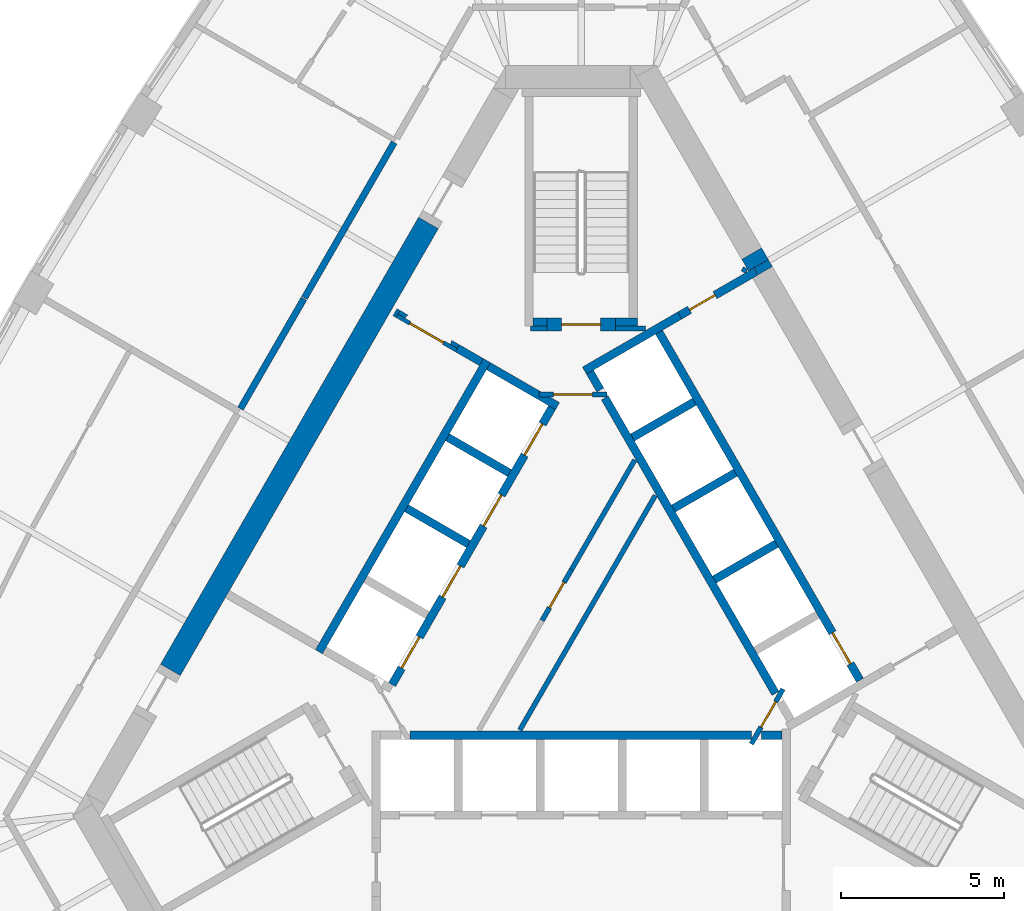
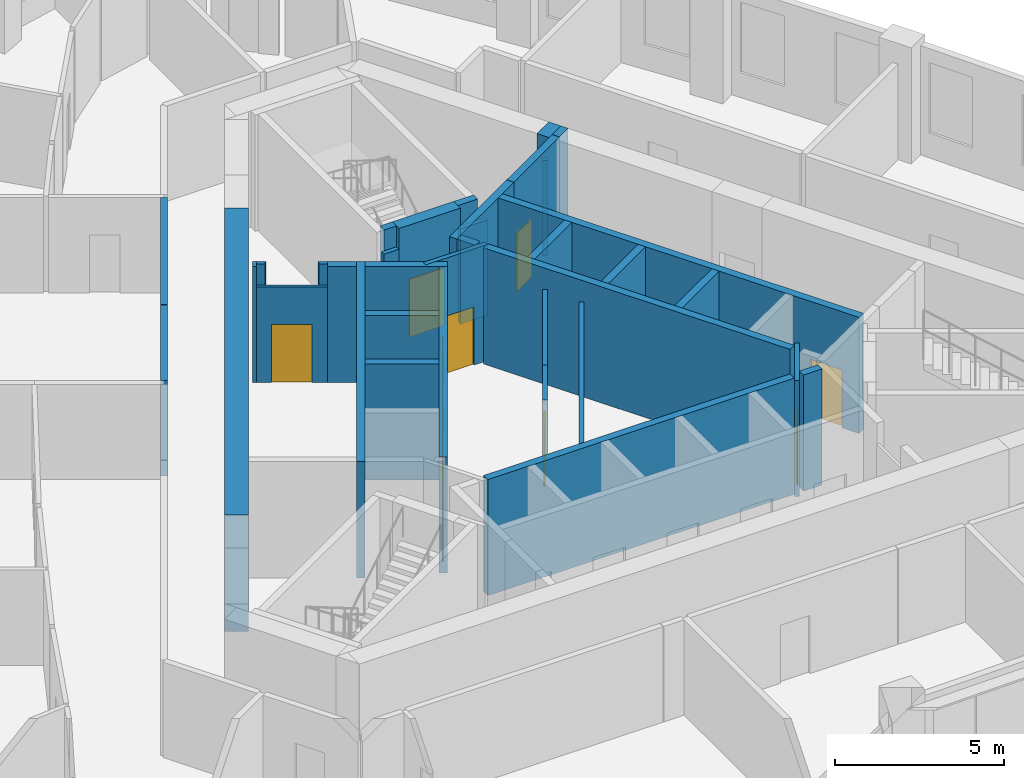
# One storey, part 5 of 10: 36 walls, 11 doors, 11 openings.
"""IFC4 building model written with IfcOpenShell, lengths in metres."""

from ifc_helpers import new_model, si_unit, direction, frame, frame_2d, origin, place, context, subcontext, project, spatial, polyline, rectangle, outline, extrude, material, layer, layer_set, type_object, element, fill, save


model = new_model("IFC4")

# Units and contexts
model_context = context("Model", 3, precision=1e-05, world=origin(), true_north=direction((0.0, 1.0)))
body_context = subcontext(model_context, "Body", "Model", "MODEL_VIEW")
ifc_project = project(units=[si_unit("LENGTHUNIT", "METRE"), si_unit("AREAUNIT", "SQUARE_METRE"), si_unit("VOLUMEUNIT", "CUBIC_METRE"), si_unit("PLANEANGLEUNIT", "RADIAN"), si_unit("MASSUNIT", "GRAM", prefix="KILO")], contexts=[model_context])

# Site, building, storey
site_placement = place(None, origin())
site = spatial("IfcSite", under=ifc_project, at=site_placement, CompositionType="ELEMENT")
building_placement = place(site_placement, origin())
building = spatial("IfcBuilding", under=site, at=building_placement, Name="Mestral Congress Tower", CompositionType="ELEMENT")
storey_placement = place(building_placement, frame((0.0, 0.0, 218.39990234375)))
storey = spatial("IfcBuildingStorey", under=building, at=storey_placement, Name="L51", CompositionType="ELEMENT", Elevation=218.39990234375)

# Walls
ifc_material_1 = material(Name="Fire-rated board partition")
ifc_layer_1 = layer(ifc_material_1, 0.14990234375)
ifc_layer_set_1 = layer_set([ifc_layer_1], Name="Fire-rated board partition")
wall_type_1 = type_object("IfcWallType", Name="Core partition 150", PredefinedType="PARTITIONING", material=ifc_layer_set_1)
wall_1_placement = place(storey_placement, frame((1.050048828125, 8.62548828125, 0.0), z_axis=(0.0, 0.0, 1.0), x_axis=(1.0, 0.0, 0.0)))
element("IfcWall", 1, at=wall_1_placement, inside=storey, type_object=wall_type_1, Name="L51 core wall", PredefinedType="PARTITIONING", context=body_context, shape_type="SweptSolid", body=[
    extrude(rectangle(XDim=0.9287109375, YDim=0.14990234375, at=frame_2d((0.46435546875, 0.0))), origin(), (0.0, 0.0, 1.0), 3.4501953125),
])
wall_2_placement = place(storey_placement, frame((-1.56396484375, 8.62548828125, 0.0), z_axis=(0.0, 0.0, 1.0), x_axis=(1.0, 0.0, 0.0)))
element("IfcWall", 2, at=wall_2_placement, inside=storey, type_object=wall_type_1, Name="L51 core wall", PredefinedType="PARTITIONING", context=body_context, shape_type="SweptSolid", body=[
    extrude(rectangle(XDim=0.513916015625, YDim=0.14990234375, at=frame_2d((0.2568359375, 0.0))), origin(), (0.0, 0.0, 1.0), 3.4501953125),
])
wall_3_placement = place(storey_placement, frame((4.97998046875, 10.35791015625, 0.0), z_axis=(0.0, 0.0, 1.0), x_axis=(0.500640202437, 0.86565546709, 0.0)))
element("IfcWall", 3, at=wall_3_placement, inside=storey, type_object=wall_type_1, Name="L51 core wall", PredefinedType="PARTITIONING", context=body_context, shape_type="SweptSolid", body=[
    extrude(rectangle(XDim=0.145751953125, YDim=0.14990234375, at=frame_2d((0.07275390625, 0.0))), origin(), (0.0, 0.0, 1.0), 3.4501953125),
])
wall_4_placement = place(storey_placement, frame((-1.886962890625, -3.71826171875, 0.0), z_axis=(0.0, 0.0, 1.0), x_axis=(0.500005008002, 0.866022512394, 0.0)))
element("IfcWall", 4, at=wall_4_placement, inside=storey, type_object=wall_type_1, Name="L51 core wall", PredefinedType="PARTITIONING", context=body_context, shape_type="SweptSolid", body=[
    extrude(rectangle(XDim=8.3271484375, YDim=0.14990234375, at=frame_2d((4.16357421875, 0.0))), origin(), (0.0, 0.0, 1.0), 3.4501953125),
])
wall_5_placement = place(storey_placement, frame((-0.2998046875, 1.21240234375, 0.0), z_axis=(0.0, 0.0, 1.0), x_axis=(0.499963101113, 0.866046706318, 0.0)))
element("IfcWall", 5, at=wall_5_placement, inside=storey, type_object=wall_type_1, Name="L51 core wall", PredefinedType="PARTITIONING", context=body_context, shape_type="SweptSolid", body=[
    extrude(rectangle(XDim=3.893310546875, YDim=0.14990234375, at=frame_2d((1.94677734375, 0.0))), origin(), (0.0, 0.0, 1.0), 3.4501953125),
])

# Wall, opening, door
wall_6_placement = place(storey_placement, frame((-1.199951171875, -0.346435546875, 0.0), z_axis=(0.0, 0.0, 1.0), x_axis=(0.499961193289, 0.866047807691, 0.0)))
wall_6 = element("IfcWall", 6, at=wall_6_placement, inside=storey, type_object=wall_type_1, Name="L51 door wall", PredefinedType="PARTITIONING", context=body_context, shape_type="SweptSolid", body=[
    extrude(rectangle(XDim=1.800048828125, YDim=0.14990234375, at=frame_2d((0.89990234375, 0.0))), origin(), (0.0, 0.0, 1.0), 3.4501953125),
])
opening_1_placement = place(wall_6_placement, frame((0.449951171875, 0.0, 0.0)))
opening_1 = element("IfcOpeningElement", 7, at=opening_1_placement, cuts=wall_6, Name="Opening SD-HUB1", PredefinedType="OPENING", context=body_context, shape_type="SweptSolid", body=[
    extrude(rectangle(XDim=0.89990234375, YDim=2.10009765625, at=frame_2d((0.449951171875, 1.050048828125))), frame((0.0, 0.0849609375, 0.0), z_axis=(0.0, -1.0, 0.0), x_axis=(1.0, 0.0, 0.0)), (0.0, 0.0, 1.0), 0.169921875),
])
ifc_material_2 = material(Name="Fire-rated steel door set", Category="steel")
door_type_1 = type_object("IfcDoorType", Name="Core door SR 900x2100", OperationType="SINGLE_SWING_LEFT", PredefinedType="DOOR", material=ifc_material_2)
door_1_placement = place(opening_1_placement, origin())
door_1 = element("IfcDoor", 8, at=door_1_placement, inside=storey, type_object=door_type_1, Name="Door SD-HUB1", OperationType="SINGLE_SWING_LEFT", OverallHeight=2.10009765625, OverallWidth=0.89990234375, PredefinedType="DOOR", context=body_context, shape_type="SweptSolid", body=[
    extrude(rectangle(XDim=0.89990234375, YDim=2.10009765625, at=frame_2d((0.449951171875, 1.050048828125))), frame((0.0, 0.02490234375, 0.0), z_axis=(0.0, -1.0, 0.0), x_axis=(1.0, 0.0, 0.0)), (0.0, 0.0, 1.0), 0.050048828125),
])
fill(opening_1, door_1)

ifc_layer_2 = layer(ifc_material_1, 0.1201171875)
ifc_layer_set_2 = layer_set([ifc_layer_2], Name="Fire-rated board partition")
wall_type_2 = type_object("IfcWallType", Name="Core partition 150 door-wall 120", PredefinedType="PARTITIONING", material=ifc_layer_set_2)
wall_7_placement = place(storey_placement, frame((-5.65869140625, 9.01171875, 0.0), z_axis=(0.0, 0.0, 1.0), x_axis=(0.866009402589, -0.500027713859, 0.0)))
wall_7 = element("IfcWall", 9, at=wall_7_placement, inside=storey, type_object=wall_type_2, Name="L51 door wall", PredefinedType="PARTITIONING", context=body_context, shape_type="SweptSolid", body=[
    extrude(rectangle(XDim=2.10009765625, YDim=0.1201171875, at=frame_2d((1.050048828125, 0.0))), origin(), (0.0, 0.0, 1.0), 3.4501953125),
])
opening_2_placement = place(wall_7_placement, frame((0.449951171875, 0.0, 0.0)))
opening_2 = element("IfcOpeningElement", 10, at=opening_2_placement, cuts=wall_7, Name="Opening LB2-WL2", PredefinedType="OPENING", context=body_context, shape_type="SweptSolid", body=[
    extrude(rectangle(XDim=1.199951171875, YDim=2.10009765625, at=frame_2d((0.60009765625, 1.050048828125))), frame((0.0, 0.070068359375, 0.0), z_axis=(0.0, -1.0, 0.0), x_axis=(1.0, 0.0, 0.0)), (0.0, 0.0, 1.0), 0.14013671875),
])
door_type_2 = type_object("IfcDoorType", Name="Core door LB 1200x2100", OperationType="SINGLE_SWING_LEFT", PredefinedType="DOOR", material=ifc_material_2)
door_2_placement = place(opening_2_placement, origin())
door_2 = element("IfcDoor", 11, at=door_2_placement, inside=storey, type_object=door_type_2, Name="Door LB2-WL2", OperationType="SINGLE_SWING_LEFT", OverallHeight=2.10009765625, OverallWidth=1.199951171875, PredefinedType="DOOR", context=body_context, shape_type="SweptSolid", body=[
    extrude(rectangle(XDim=1.199951171875, YDim=2.10009765625, at=frame_2d((0.60009765625, 1.050048828125))), frame((0.0, 0.02490234375, 0.0), z_axis=(0.0, -1.0, 0.0), x_axis=(1.0, 0.0, 0.0)), (0.0, 0.0, 1.0), 0.050048828125),
])
fill(opening_2, door_2)

# Walls
ifc_material_3 = material(Name="Concrete C60/75", Category="concrete")
ifc_layer_3 = layer(ifc_material_3, 0.699951171875)
ifc_layer_set_3 = layer_set([ifc_layer_3], Name="Concrete C60/75")
wall_type_3 = type_object("IfcWallType", Name="Core wall RC 700", PredefinedType="SOLIDWALL", material=ifc_layer_set_3)
wall_8_placement = place(storey_placement, frame((5.4453125, 10.568603515625, 0.0), z_axis=(0.0, 0.0, 1.0), x_axis=(-0.500218351069, 0.865899302029, 0.0)))
element("IfcWall", 12, at=wall_8_placement, inside=storey, type_object=wall_type_3, Name="L51 core wall", PredefinedType="SOLIDWALL", context=body_context, shape_type="SweptSolid", body=[
    extrude(rectangle(XDim=0.411865234375, YDim=0.699951171875, at=frame_2d((0.2060546875, 0.0))), origin(), (0.0, 0.0, 1.0), 4.2001953125),
])
placement = place(storey_placement, origin())
element("IfcWall", 13, at=placement, inside=storey, type_object=wall_type_3, Name="L51 core wall", PredefinedType="SOLIDWALL", context=body_context, shape_type="SweptSolid", body=[
    extrude(outline(polyline([(5.431640625, 10.272216796875), (5.3076171875, 10.48681640625), (5.749267578125, 10.741943359375), (5.873291015625, 10.527099609375), (5.431640625, 10.272216796875)])), origin(), (0.0, 0.0, 1.0), 4.2001953125),
])
wall_10_placement = place(storey_placement, frame((-12.625, -1.866943359375, 0.0), z_axis=(0.0, 0.0, 1.0), x_axis=(0.500008520515, 0.866020484407, 0.0)))
element("IfcWall", 14, at=wall_10_placement, inside=storey, type_object=wall_type_3, Name="L51 core wall", PredefinedType="SOLIDWALL", context=body_context, shape_type="SweptSolid", body=[
    extrude(rectangle(XDim=15.858642578125, YDim=0.699951171875, at=frame_2d((7.92919921875, 0.0))), origin(), (0.0, 0.0, 1.0), 4.2001953125),
])
ifc_material_4 = material(Name="Dense masonry wall, plastered", Category="masonry")
ifc_layer_4 = layer(ifc_material_4, 0.199951171875)
ifc_layer_set_4 = layer_set([ifc_layer_4], Name="Dense masonry wall, plastered")
wall_type_4 = type_object("IfcWallType", Name="Office tenancy wall 200", PredefinedType="PARTITIONING", material=ifc_layer_set_4)
wall_11_placement = place(storey_placement, frame((-8.522216796875, 9.5390625, 0.0), z_axis=(0.0, 0.0, 1.0), x_axis=(-0.499997012787, -0.866027128446, 0.0)))
element("IfcWall", 15, at=wall_11_placement, inside=storey, type_object=wall_type_4, Name="Tenancy wall", PredefinedType="PARTITIONING", context=body_context, shape_type="SweptSolid", body=[
    extrude(rectangle(XDim=3.89990234375, YDim=0.199951171875, at=frame_2d((1.949951171875, 0.0))), origin(), (0.0, 0.0, 1.0), 3.4501953125),
])
wall_12_placement = place(storey_placement, frame((-5.749755859375, 14.341064453125, 0.0), z_axis=(0.0, 0.0, 1.0), x_axis=(-0.499995817524, -0.866027818524, 0.0)))
element("IfcWall", 16, at=wall_12_placement, inside=storey, type_object=wall_type_4, Name="Tenancy wall", PredefinedType="PARTITIONING", context=body_context, shape_type="SweptSolid", body=[
    extrude(rectangle(XDim=5.5146484375, YDim=0.199951171875, at=frame_2d((2.75732421875, 0.0))), origin(), (0.0, 0.0, 1.0), 3.4501953125),
])
ifc_layer_5 = layer(ifc_material_3, 0.25)
ifc_layer_set_5 = layer_set([ifc_layer_5], Name="Concrete C60/75")
wall_type_5 = type_object("IfcWallType", Name="Shaft wall RC 250", PredefinedType="SOLIDWALL", material=ifc_layer_set_5)
wall_13_placement = place(storey_placement, frame((-5.25927734375, -3.875, 0.0), z_axis=(0.0, 0.0, 1.0), x_axis=(1.0, 0.0, 0.0)))
element("IfcWall", 17, at=wall_13_placement, inside=storey, type_object=wall_type_5, Name="L51 core wall", PredefinedType="SOLIDWALL", context=body_context, shape_type="SweptSolid", body=[
    extrude(rectangle(XDim=10.488525390625, YDim=0.25, at=frame_2d((5.244140625, 0.0))), origin(), (0.0, 0.0, 1.0), 4.2001953125),
])
wall_14_placement = place(storey_placement, frame((5.538330078125, -3.875, 0.0), z_axis=(0.0, 0.0, 1.0), x_axis=(1.0, 0.0, 0.0)))
element("IfcWall", 18, at=wall_14_placement, inside=storey, type_object=wall_type_5, Name="L51 core wall", PredefinedType="SOLIDWALL", context=body_context, shape_type="SweptSolid", body=[
    extrude(rectangle(XDim=0.63671875, YDim=0.25, at=frame_2d((0.318359375, 0.0))), origin(), (0.0, 0.0, 1.0), 4.2001953125),
])
wall_15_placement = place(storey_placement, frame((3.02783203125, 9.022705078125, 0.0), z_axis=(0.0, 0.0, 1.0), x_axis=(-0.866036587186, -0.49998062928, 0.0)))
element("IfcWall", 19, at=wall_15_placement, inside=storey, type_object=wall_type_5, Name="L51 core wall", PredefinedType="SOLIDWALL", context=body_context, shape_type="SweptSolid", body=[
    extrude(rectangle(XDim=3.383544921875, YDim=0.25, at=frame_2d((1.69189453125, 0.0))), origin(), (0.0, 0.0, 1.0), 4.2001953125),
])
wall_16_placement = place(storey_placement, frame((0.268310546875, 7.28515625, 0.0), z_axis=(0.0, 0.0, 1.0), x_axis=(0.500098681536, -0.865968422476, 0.0)))
element("IfcWall", 20, at=wall_16_placement, inside=storey, type_object=wall_type_5, Name="L51 core wall", PredefinedType="SOLIDWALL", context=body_context, shape_type="SweptSolid", body=[
    extrude(rectangle(XDim=0.636474609375, YDim=0.25, at=frame_2d((0.318359375, 0.0))), origin(), (0.0, 0.0, 1.0), 4.2001953125),
])
wall_17_placement = place(storey_placement, frame((5.970458984375, -2.591064453125, 0.0), z_axis=(0.0, 0.0, 1.0), x_axis=(-0.499994469932, 0.866028596547, 0.0)))
element("IfcWall", 21, at=wall_17_placement, inside=storey, type_object=wall_type_5, Name="L51 core wall", PredefinedType="SOLIDWALL", context=body_context, shape_type="SweptSolid", body=[
    extrude(rectangle(XDim=10.48828125, YDim=0.25, at=frame_2d((5.244140625, 0.0))), origin(), (0.0, 0.0, 1.0), 4.2001953125),
])
wall_18_placement = place(storey_placement, frame((1.57421875, 5.273681640625, 0.0), z_axis=(0.0, 0.0, 1.0), x_axis=(0.866028486751, 0.499994660107, 0.0)))
element("IfcWall", 22, at=wall_18_placement, inside=storey, type_object=wall_type_5, Name="L51 core wall", PredefinedType="SOLIDWALL", context=body_context, shape_type="SweptSolid", body=[
    extrude(rectangle(XDim=2.19970703125, YDim=0.25, at=frame_2d((1.099853515625, 0.0))), origin(), (0.0, 0.0, 1.0), 4.2001953125),
])
for number, where, z_axis, x_axis, name in (
    (23, (2.833984375, 3.091064453125, 0.0), (0.0, 0.0, 1.0), (0.866008176907, 0.50002983664, 0.0), "L51 core wall"),
    (24, (4.093994140625, 0.90869140625, 0.0), (0.0, 0.0, 1.0), (0.866008176907, 0.50002983664, 0.0), "L51 core wall"),
):
    element("IfcWall", number, at=place(storey_placement, frame(where, z_axis=z_axis, x_axis=x_axis)), inside=storey, type_object=wall_type_5, Name=name, PredefinedType="SOLIDWALL", context=body_context, shape_type="SweptSolid", body=[
        extrude(rectangle(XDim=2.199951171875, YDim=0.25, at=frame_2d((1.10009765625, 0.0))), origin(), (0.0, 0.0, 1.0), 4.2001953125),
    ])
wall_19_placement = place(storey_placement, frame((-8.06005859375, -1.310546875, 0.0), z_axis=(0.0, 0.0, 1.0), x_axis=(0.50000273126, 0.866023826885, 0.0)))
element("IfcWall", 25, at=wall_19_placement, inside=storey, type_object=wall_type_5, Name="L51 core wall", PredefinedType="SOLIDWALL", context=body_context, shape_type="SweptSolid", body=[
    extrude(rectangle(XDim=10.330078125, YDim=0.25, at=frame_2d((5.1650390625, 0.0))), origin(), (0.0, 0.0, 1.0), 4.2001953125),
])
element("IfcWall", 26, at=placement, inside=storey, type_object=wall_type_5, Name="L51 core wall", PredefinedType="SOLIDWALL", context=body_context, shape_type="SweptSolid", body=[
    extrude(outline(polyline([(-2.911865234375, 7.3564453125), (-2.786865234375, 7.572998046875), (-1.231689453125, 6.675048828125), (-1.303466796875, 6.675048828125), (-1.3037109375, 6.675048828125), (-1.3037109375, 6.675048828125), (-1.3037109375, 6.52490234375), (-1.3037109375, 6.52490234375), (-1.303466796875, 6.52490234375), (-0.971435546875, 6.52490234375), (-0.6650390625, 6.347900390625), (-0.7900390625, 6.131591796875), (-1.006591796875, 6.256591796875), (-1.006591796875, 6.256591796875), (-2.911865234375, 7.3564453125)])), origin(), (0.0, 0.0, 1.0), 4.2001953125),
])
for number, where, z_axis, x_axis, name in (
    (27, (-2.2041015625, 4.182373046875, 0.0), (0.0, 0.0, 1.0), (-0.866008176907, 0.50002983664, 0.0), "L51 core wall"),
    (28, (-5.369384765625, 3.10009765625, 0.0), (0.0, 0.0, 1.0), (0.866008176907, -0.50002983664, 0.0), "L51 core wall"),
):
    element("IfcWall", number, at=place(storey_placement, frame(where, z_axis=z_axis, x_axis=x_axis)), inside=storey, type_object=wall_type_5, Name=name, PredefinedType="SOLIDWALL", context=body_context, shape_type="SweptSolid", body=[
        extrude(rectangle(XDim=2.199951171875, YDim=0.25, at=frame_2d((1.10009765625, 0.0))), origin(), (0.0, 0.0, 1.0), 4.2001953125),
    ])
wall_21_placement = place(storey_placement, frame((-5.724609375, 9.124755859375, 0.0), z_axis=(0.0, 0.0, 1.0), x_axis=(0.866185586049, -0.49972245349, 0.0)))
element("IfcWall", 29, at=wall_21_placement, inside=storey, type_object=wall_type_5, Name="L51 core wall", PredefinedType="SOLIDWALL", context=body_context, shape_type="SweptSolid", body=[
    extrude(rectangle(XDim=0.10986328125, YDim=0.25, at=frame_2d((0.054931640625, 0.0))), origin(), (0.0, 0.0, 1.0), 4.2001953125),
])
wall_22_placement = place(storey_placement, frame((-3.06591796875, 7.58984375, 0.0), z_axis=(0.0, 0.0, 1.0), x_axis=(-0.866081358704, 0.49990307071, 0.0)))
element("IfcWall", 30, at=wall_22_placement, inside=storey, type_object=wall_type_5, Name="L51 core wall", PredefinedType="SOLIDWALL", context=body_context, shape_type="SweptSolid", body=[
    extrude(rectangle(XDim=0.858154296875, YDim=0.25, at=frame_2d((0.42919921875, 0.0))), origin(), (0.0, 0.0, 1.0), 4.2001953125),
])
element("IfcWall", 31, at=placement, inside=storey, type_object=wall_type_5, Name="L51 core wall", PredefinedType="SOLIDWALL", context=body_context, shape_type="SweptSolid", body=[
    extrude(outline(polyline([(-3.748291015625, 8.1279296875), (-3.813232421875, 8.015380859375), (-4.026611328125, 8.138671875), (-4.0166015625, 8.156005859375), (-4.007568359375, 8.17333984375), (-4.000244140625, 8.191650390625), (-3.994873046875, 8.21044921875), (-3.991455078125, 8.229736328125), (-3.98974609375, 8.24951171875), (-3.989990234375, 8.267578125), (-3.748291015625, 8.1279296875)])), origin(), (0.0, 0.0, 1.0), 4.2001953125),
])
element("IfcWall", 32, at=placement, inside=storey, type_object=wall_type_5, Name="L51 core wall", PredefinedType="SOLIDWALL", context=body_context, shape_type="SweptSolid", body=[
    extrude(outline(polyline([(-5.688720703125, 8.959716796875), (-5.690185546875, 8.960693359375), (-5.565185546875, 9.177001953125), (-5.318603515625, 9.03466796875), (-5.334716796875, 9.02587890625), (-5.3505859375, 9.0146484375), (-5.36572265625, 9.001953125), (-5.37939453125, 8.98779296875), (-5.3916015625, 8.972412109375), (-5.402099609375, 8.955810546875), (-5.412109375, 8.938720703125), (-5.628662109375, 9.063720703125), (-5.628662109375, 9.063720703125), (-5.688720703125, 8.959716796875)])), origin(), (0.0, 0.0, 1.0), 4.2001953125),
])

# Wall, opening, door
wall_25_placement = place(storey_placement, frame((8.565185546875, -2.185302734375, 0.0), z_axis=(0.0, 0.0, 1.0), x_axis=(-0.499997954832, 0.866026584559, 0.0)))
wall_25 = element("IfcWall", 33, at=wall_25_placement, inside=storey, type_object=wall_type_5, Name="L51 door wall", PredefinedType="SOLIDWALL", context=body_context, shape_type="SweptSolid", body=[
    extrude(rectangle(XDim=12.35009765625, YDim=0.25, at=frame_2d((6.175048828125, 0.0))), origin(), (0.0, 0.0, 1.0), 4.2001953125),
])
opening_3_placement = place(wall_25_placement, frame((0.5849609375, 0.0, 0.0)))
opening_3 = element("IfcOpeningElement", 34, at=opening_3_placement, cuts=wall_25, Name="Opening LD-NEB1", PredefinedType="OPENING", context=body_context, shape_type="SweptSolid", body=[
    extrude(rectangle(XDim=1.10009765625, YDim=2.10009765625, at=frame_2d((0.550048828125, 1.050048828125))), frame((0.0, 0.135009765625, 0.0), z_axis=(0.0, -1.0, 0.0), x_axis=(1.0, 0.0, 0.0)), (0.0, 0.0, 1.0), 0.27001953125),
])
door_type_3 = type_object("IfcDoorType", Name="Core door LD 1100x2100", OperationType="DOUBLE_DOOR_SLIDING", PredefinedType="DOOR", material=ifc_material_2)
door_3_placement = place(opening_3_placement, origin())
door_3 = element("IfcDoor", 35, at=door_3_placement, inside=storey, type_object=door_type_3, Name="Door LD-NEB1", OperationType="DOUBLE_DOOR_SLIDING", OverallHeight=2.10009765625, OverallWidth=1.10009765625, PredefinedType="DOOR", context=body_context, shape_type="SweptSolid", body=[
    extrude(rectangle(XDim=1.10009765625, YDim=2.10009765625, at=frame_2d((0.550048828125, 1.050048828125))), frame((0.0, 0.02490234375, 0.0), z_axis=(0.0, -1.0, 0.0), x_axis=(1.0, 0.0, 0.0)), (0.0, 0.0, 1.0), 0.050048828125),
])
fill(opening_3, door_3)

# Wall, openings, doors
wall_26_placement = place(storey_placement, frame((-0.898193359375, 6.194091796875, 0.0), z_axis=(0.0, 0.0, 1.0), x_axis=(-0.499996202215, -0.866027596426, 0.0)))
wall_26 = element("IfcWall", 36, at=wall_26_placement, inside=storey, type_object=wall_type_5, Name="L51 door wall", PredefinedType="SOLIDWALL", context=body_context, shape_type="SweptSolid", body=[
    extrude(rectangle(XDim=9.830078125, YDim=0.25, at=frame_2d((4.9150390625, 0.0))), origin(), (0.0, 0.0, 1.0), 4.2001953125),
])
opening_4_placement = place(wall_26_placement, frame((0.5849609375, 0.0, 0.0)))
opening_4 = element("IfcOpeningElement", 37, at=opening_4_placement, cuts=wall_26, Name="Opening LD-NWB1", PredefinedType="OPENING", context=body_context, shape_type="SweptSolid", body=[
    extrude(rectangle(XDim=1.10009765625, YDim=2.10009765625, at=frame_2d((0.550048828125, 1.050048828125))), frame((0.0, 0.135009765625, 0.0), z_axis=(0.0, -1.0, 0.0), x_axis=(1.0, 0.0, 0.0)), (0.0, 0.0, 1.0), 0.27001953125),
])
opening_5_placement = place(wall_26_placement, frame((3.10498046875, 0.0, 0.0)))
opening_5 = element("IfcOpeningElement", 38, at=opening_5_placement, cuts=wall_26, Name="Opening LD-NWB2", PredefinedType="OPENING", context=body_context, shape_type="SweptSolid", body=[
    extrude(rectangle(XDim=1.10009765625, YDim=2.10009765625, at=frame_2d((0.550048828125, 1.050048828125))), frame((0.0, 0.135009765625, 0.0), z_axis=(0.0, -1.0, 0.0), x_axis=(1.0, 0.0, 0.0)), (0.0, 0.0, 1.0), 0.27001953125),
])
opening_6_placement = place(wall_26_placement, frame((5.625, 0.0, 0.0)))
opening_6 = element("IfcOpeningElement", 39, at=opening_6_placement, cuts=wall_26, Name="Opening LD-NWB3", PredefinedType="OPENING", context=body_context, shape_type="SweptSolid", body=[
    extrude(rectangle(XDim=1.10009765625, YDim=2.10009765625, at=frame_2d((0.550048828125, 1.050048828125))), frame((0.0, 0.135009765625, 0.0), z_axis=(0.0, -1.0, 0.0), x_axis=(1.0, 0.0, 0.0)), (0.0, 0.0, 1.0), 0.27001953125),
])
opening_7_placement = place(wall_26_placement, frame((8.14501953125, 0.0, 0.0)))
opening_7 = element("IfcOpeningElement", 40, at=opening_7_placement, cuts=wall_26, Name="Opening LD-NWB4", PredefinedType="OPENING", context=body_context, shape_type="SweptSolid", body=[
    extrude(rectangle(XDim=1.10009765625, YDim=2.10009765625, at=frame_2d((0.550048828125, 1.050048828125))), frame((0.0, 0.135009765625, 0.0), z_axis=(0.0, -1.0, 0.0), x_axis=(1.0, 0.0, 0.0)), (0.0, 0.0, 1.0), 0.27001953125),
])
door_4_placement = place(opening_4_placement, origin())
door_4 = element("IfcDoor", 41, at=door_4_placement, inside=storey, type_object=door_type_3, Name="Door LD-NWB1", OperationType="DOUBLE_DOOR_SLIDING", OverallHeight=2.10009765625, OverallWidth=1.10009765625, PredefinedType="DOOR", context=body_context, shape_type="SweptSolid", body=[
    extrude(rectangle(XDim=1.10009765625, YDim=2.10009765625, at=frame_2d((0.550048828125, 1.050048828125))), frame((0.0, 0.02490234375, 0.0), z_axis=(0.0, -1.0, 0.0), x_axis=(1.0, 0.0, 0.0)), (0.0, 0.0, 1.0), 0.050048828125),
])
fill(opening_4, door_4)
door_5_placement = place(opening_5_placement, origin())
door_5 = element("IfcDoor", 42, at=door_5_placement, inside=storey, type_object=door_type_3, Name="Door LD-NWB2", OperationType="DOUBLE_DOOR_SLIDING", OverallHeight=2.10009765625, OverallWidth=1.10009765625, PredefinedType="DOOR", context=body_context, shape_type="SweptSolid", body=[
    extrude(rectangle(XDim=1.10009765625, YDim=2.10009765625, at=frame_2d((0.550048828125, 1.050048828125))), frame((0.0, 0.02490234375, 0.0), z_axis=(0.0, -1.0, 0.0), x_axis=(1.0, 0.0, 0.0)), (0.0, 0.0, 1.0), 0.050048828125),
])
fill(opening_5, door_5)
door_6_placement = place(opening_6_placement, origin())
door_6 = element("IfcDoor", 43, at=door_6_placement, inside=storey, type_object=door_type_3, Name="Door LD-NWB3", OperationType="DOUBLE_DOOR_SLIDING", OverallHeight=2.10009765625, OverallWidth=1.10009765625, PredefinedType="DOOR", context=body_context, shape_type="SweptSolid", body=[
    extrude(rectangle(XDim=1.10009765625, YDim=2.10009765625, at=frame_2d((0.550048828125, 1.050048828125))), frame((0.0, 0.02490234375, 0.0), z_axis=(0.0, -1.0, 0.0), x_axis=(1.0, 0.0, 0.0)), (0.0, 0.0, 1.0), 0.050048828125),
])
fill(opening_6, door_6)
door_7_placement = place(opening_7_placement, origin())
door_7 = element("IfcDoor", 44, at=door_7_placement, inside=storey, type_object=door_type_3, Name="Door LD-NWB4", OperationType="DOUBLE_DOOR_SLIDING", OverallHeight=2.10009765625, OverallWidth=1.10009765625, PredefinedType="DOOR", context=body_context, shape_type="SweptSolid", body=[
    extrude(rectangle(XDim=1.10009765625, YDim=2.10009765625, at=frame_2d((0.550048828125, 1.050048828125))), frame((0.0, 0.02490234375, 0.0), z_axis=(0.0, -1.0, 0.0), x_axis=(1.0, 0.0, 0.0)), (0.0, 0.0, 1.0), 0.050048828125),
])
fill(opening_7, door_7)

# Wall, opening, door
wall_27_placement = place(storey_placement, frame((5.3662109375, 10.372802734375, 0.0), z_axis=(0.0, 0.0, 1.0), x_axis=(-0.866019956843, -0.50000943426, 0.0)))
wall_27 = element("IfcWall", 45, at=wall_27_placement, inside=storey, type_object=wall_type_5, Name="L51 door wall", PredefinedType="SOLIDWALL", context=body_context, shape_type="SweptSolid", body=[
    extrude(rectangle(XDim=2.7001953125, YDim=0.25, at=frame_2d((1.35009765625, 0.0))), origin(), (0.0, 0.0, 1.0), 4.2001953125),
])
opening_8_placement = place(wall_27_placement, frame((1.449951171875, 0.0, 0.0)))
opening_8 = element("IfcOpeningElement", 46, at=opening_8_placement, cuts=wall_27, Name="Opening TD2", PredefinedType="OPENING", context=body_context, shape_type="SweptSolid", body=[
    extrude(rectangle(XDim=0.89990234375, YDim=2.10009765625, at=frame_2d((0.449951171875, 1.050048828125))), frame((0.0, 0.135009765625, 0.0), z_axis=(0.0, -1.0, 0.0), x_axis=(1.0, 0.0, 0.0)), (0.0, 0.0, 1.0), 0.27001953125),
])
door_8_placement = place(opening_8_placement, origin())
door_8 = element("IfcDoor", 47, at=door_8_placement, inside=storey, type_object=door_type_1, Name="Door TD2", OperationType="SINGLE_SWING_LEFT", OverallHeight=2.10009765625, OverallWidth=0.89990234375, PredefinedType="DOOR", context=body_context, shape_type="SweptSolid", body=[
    extrude(rectangle(XDim=0.89990234375, YDim=2.10009765625, at=frame_2d((0.449951171875, 1.050048828125))), frame((0.0, 0.02490234375, 0.0), z_axis=(0.0, -1.0, 0.0), x_axis=(1.0, 0.0, 0.0)), (0.0, 0.0, 1.0), 0.050048828125),
])
fill(opening_8, door_8)

ifc_layer_6 = layer(ifc_material_3, 0.14990234375)
ifc_layer_set_6 = layer_set([ifc_layer_6], Name="Concrete C60/75")
wall_type_6 = type_object("IfcWallType", Name="Shaft wall RC 250 door-wall 150", PredefinedType="SOLIDWALL", material=ifc_layer_set_6)
wall_28_placement = place(storey_placement, frame((6.203369140625, -2.45556640625, 0.0), z_axis=(0.0, 0.0, 1.0), x_axis=(-0.500043961785, -0.866000020948, 0.0)))
wall_28 = element("IfcWall", 48, at=wall_28_placement, inside=storey, type_object=wall_type_6, Name="L51 door wall", PredefinedType="PARTITIONING", context=body_context, shape_type="SweptSolid", body=[
    extrude(rectangle(XDim=1.949951171875, YDim=0.14990234375, at=frame_2d((0.97509765625, 0.0))), origin(), (0.0, 0.0, 1.0), 4.2001953125),
])
opening_9_placement = place(wall_28_placement, frame((0.449951171875, 0.0, 0.0)))
opening_9 = element("IfcOpeningElement", 49, at=opening_9_placement, cuts=wall_28, Name="Opening CD1-HUB0", PredefinedType="OPENING", context=body_context, shape_type="SweptSolid", body=[
    extrude(rectangle(XDim=0.89990234375, YDim=2.10009765625, at=frame_2d((0.449951171875, 1.050048828125))), frame((0.0, 0.0849609375, 0.0), z_axis=(0.0, -1.0, 0.0), x_axis=(1.0, 0.0, 0.0)), (0.0, 0.0, 1.0), 0.169921875),
])
door_type_4 = type_object("IfcDoorType", Name="Core door CD 900x2100", OperationType="SINGLE_SWING_LEFT", PredefinedType="DOOR", material=ifc_material_2)
door_9_placement = place(opening_9_placement, origin())
door_9 = element("IfcDoor", 50, at=door_9_placement, inside=storey, type_object=door_type_4, Name="Door CD1-HUB0", OperationType="SINGLE_SWING_LEFT", OverallHeight=2.10009765625, OverallWidth=0.89990234375, PredefinedType="DOOR", context=body_context, shape_type="SweptSolid", body=[
    extrude(rectangle(XDim=0.89990234375, YDim=2.10009765625, at=frame_2d((0.449951171875, 1.050048828125))), frame((0.0, 0.02490234375, 0.0), z_axis=(0.0, -1.0, 0.0), x_axis=(1.0, 0.0, 0.0)), (0.0, 0.0, 1.0), 0.050048828125),
])
fill(opening_9, door_9)

wall_29_placement = place(storey_placement, frame((-1.303466796875, 6.60009765625, 0.0), z_axis=(0.0, 0.0, 1.0), x_axis=(1.0, 0.0, 0.0)))
wall_29 = element("IfcWall", 51, at=wall_29_placement, inside=storey, type_object=wall_type_6, Name="L51 door wall", PredefinedType="PARTITIONING", context=body_context, shape_type="SweptSolid", body=[
    extrude(rectangle(XDim=2.099853515625, YDim=0.14990234375, at=frame_2d((1.0498046875, 0.0))), origin(), (0.0, 0.0, 1.0), 4.2001953125),
])
opening_10_placement = place(wall_29_placement, frame((0.449951171875, 0.0, 0.0)))
opening_10 = element("IfcOpeningElement", 52, at=opening_10_placement, cuts=wall_29, Name="Opening CD2-FF", PredefinedType="OPENING", context=body_context, shape_type="SweptSolid", body=[
    extrude(rectangle(XDim=1.199951171875, YDim=2.10009765625, at=frame_2d((0.60009765625, 1.050048828125))), frame((0.0, 0.0849609375, 0.0), z_axis=(0.0, -1.0, 0.0), x_axis=(1.0, 0.0, 0.0)), (0.0, 0.0, 1.0), 0.169921875),
])
door_type_5 = type_object("IfcDoorType", Name="Core door CD 1200x2100", OperationType="SINGLE_SWING_LEFT", PredefinedType="DOOR", material=ifc_material_2)
door_10_placement = place(opening_10_placement, origin())
door_10 = element("IfcDoor", 53, at=door_10_placement, inside=storey, type_object=door_type_5, Name="Door CD2-FF", OperationType="SINGLE_SWING_LEFT", OverallHeight=2.10009765625, OverallWidth=1.199951171875, PredefinedType="DOOR", context=body_context, shape_type="SweptSolid", body=[
    extrude(rectangle(XDim=1.199951171875, YDim=2.10009765625, at=frame_2d((0.60009765625, 1.050048828125))), frame((0.0, 0.02490234375, 0.0), z_axis=(0.0, -1.0, 0.0), x_axis=(1.0, 0.0, 0.0)), (0.0, 0.0, 1.0), 0.050048828125),
])
fill(opening_10, door_10)

# Walls
ifc_layer_7 = layer(ifc_material_3, 0.25)
ifc_layer_set_7 = layer_set([ifc_layer_7], Name="Concrete C60/75")
wall_type_7 = type_object("IfcWallType", Name="Stair wall RC 250", PredefinedType="SOLIDWALL", material=ifc_layer_set_7)
wall_30_placement = place(storey_placement, frame((1.050048828125, 8.824951171875, 0.0), z_axis=(0.0, 0.0, 1.0), x_axis=(1.0, 0.0, 0.0)))
element("IfcWall", 54, at=wall_30_placement, inside=storey, type_object=wall_type_7, Name="L51 core wall", PredefinedType="SOLIDWALL", context=body_context, shape_type="SweptSolid", body=[
    extrude(rectangle(XDim=0.675048828125, YDim=0.25, at=frame_2d((0.33740234375, 0.0))), origin(), (0.0, 0.0, 1.0), 4.2001953125),
])
wall_31_placement = place(storey_placement, frame((-1.47509765625, 8.824951171875, 0.0), z_axis=(0.0, 0.0, 1.0), x_axis=(1.0, 0.0, 0.0)))
element("IfcWall", 55, at=wall_31_placement, inside=storey, type_object=wall_type_7, Name="L51 core wall", PredefinedType="SOLIDWALL", context=body_context, shape_type="SweptSolid", body=[
    extrude(rectangle(XDim=0.425048828125, YDim=0.25, at=frame_2d((0.21240234375, 0.0))), origin(), (0.0, 0.0, 1.0), 4.2001953125),
])

# Wall, opening, door
ifc_layer_8 = layer(ifc_material_3, 0.39990234375)
ifc_layer_set_8 = layer_set([ifc_layer_8], Name="Concrete C60/75")
wall_type_8 = type_object("IfcWallType", Name="Stair wall RC 250 door-wall 400", PredefinedType="SOLIDWALL", material=ifc_layer_set_8)
wall_32_placement = place(storey_placement, frame((1.050048828125, 8.75, 0.0), z_axis=(0.0, 0.0, 1.0), x_axis=(-1.0, 0.0, 0.0)))
wall_32 = element("IfcWall", 56, at=wall_32_placement, inside=storey, type_object=wall_type_8, Name="L51 door wall", PredefinedType="SOLIDWALL", context=body_context, shape_type="SweptSolid", body=[
    extrude(rectangle(XDim=2.10009765625, YDim=0.39990234375, at=frame_2d((1.050048828125, 0.0))), origin(), (0.0, 0.0, 1.0), 4.2001953125),
])
opening_11_placement = place(wall_32_placement, frame((0.449951171875, 0.0, 0.0)))
opening_11 = element("IfcOpeningElement", 57, at=opening_11_placement, cuts=wall_32, Name="Opening ST-D2", PredefinedType="OPENING", context=body_context, shape_type="SweptSolid", body=[
    extrude(rectangle(XDim=1.199951171875, YDim=2.10009765625, at=frame_2d((0.60009765625, 1.050048828125))), frame((0.0, 0.2099609375, 0.0), z_axis=(0.0, -1.0, 0.0), x_axis=(1.0, 0.0, 0.0)), (0.0, 0.0, 1.0), 0.419921875),
])
door_type_6 = type_object("IfcDoorType", Name="Core door ST 1200x2100", OperationType="SINGLE_SWING_LEFT", PredefinedType="DOOR", material=ifc_material_2)
door_11_placement = place(opening_11_placement, origin())
door_11 = element("IfcDoor", 58, at=door_11_placement, inside=storey, type_object=door_type_6, Name="Door ST-D2", OperationType="SINGLE_SWING_LEFT", OverallHeight=2.10009765625, OverallWidth=1.199951171875, PredefinedType="DOOR", context=body_context, shape_type="SweptSolid", body=[
    extrude(rectangle(XDim=1.199951171875, YDim=2.10009765625, at=frame_2d((0.60009765625, 1.050048828125))), frame((0.0, 0.02490234375, 0.0), z_axis=(0.0, -1.0, 0.0), x_axis=(1.0, 0.0, 0.0)), (0.0, 0.0, 1.0), 0.050048828125),
])
fill(opening_11, door_11)

save(model, "model.ifc")
